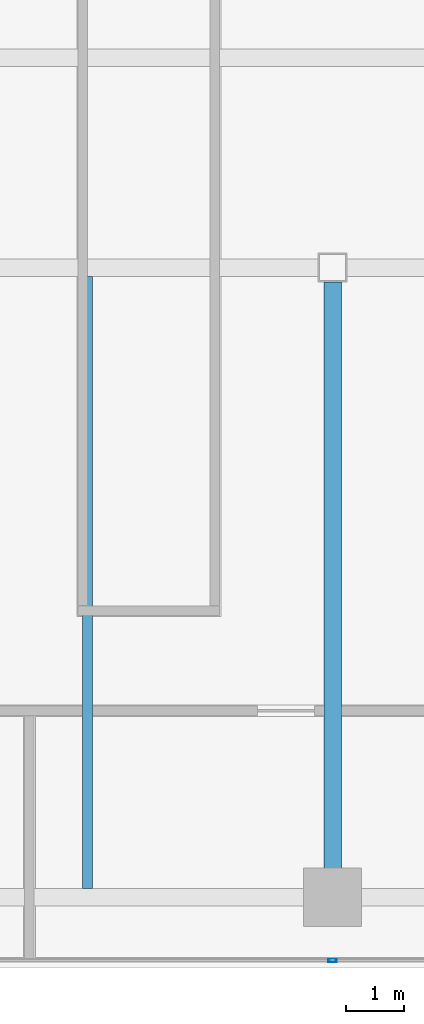
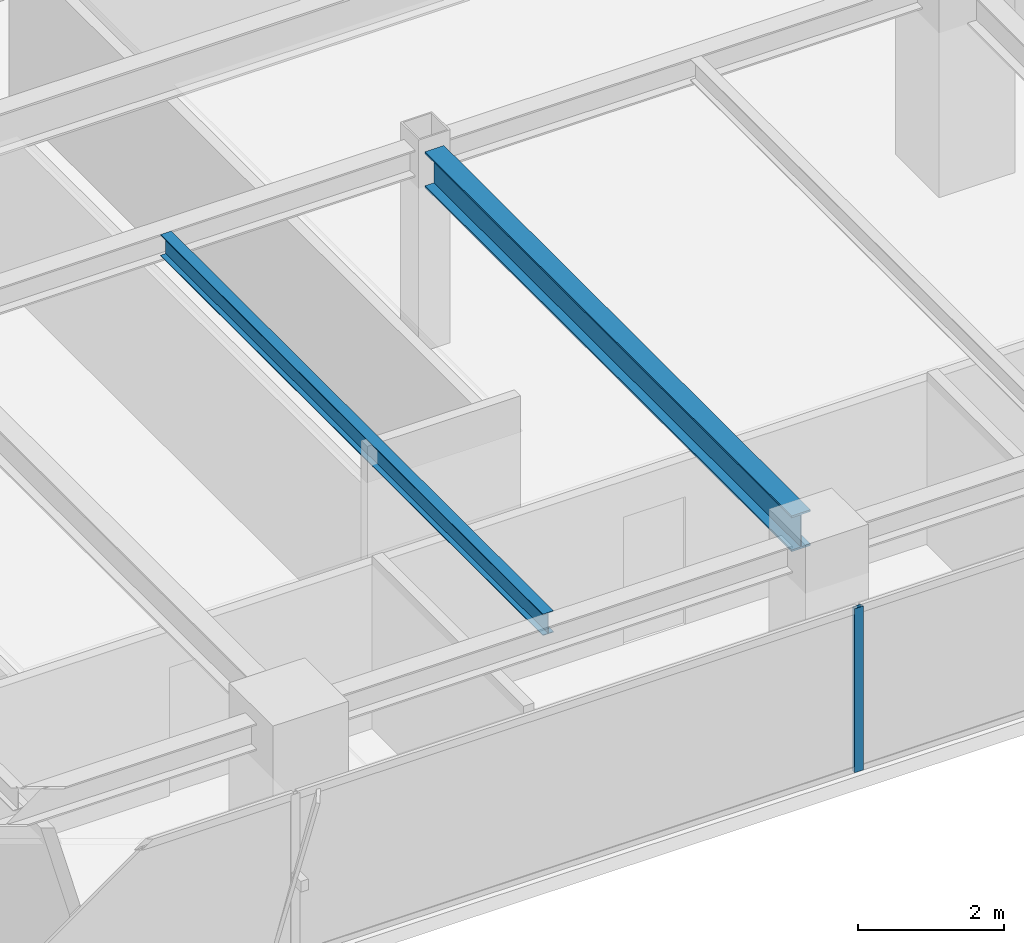
# One storey, part 6 of 27: 2 beams, 1 member, 1 element without a shape of its own.
"""IFC4 building model written with IfcOpenShell, lengths in metres."""

from ifc_helpers import new_model, si_unit, direction, frame, origin, origin_2d, place, context, subcontext, project, spatial, hollow_rectangle, i_section, extrude, source, transform, mapped, material, layer, layer_set, material_profile, profile_set, type_object, element, aggregate, save


model = new_model("IFC4")

# Units and contexts
model_context = context("Model", 3, precision=1e-05, world=origin(), true_north=direction((0.0, 1.0)))
body_context = subcontext(model_context, "Body", "Model", "MODEL_VIEW")
ifc_project = project(units=[si_unit("LENGTHUNIT", "METRE"), si_unit("AREAUNIT", "SQUARE_METRE"), si_unit("VOLUMEUNIT", "CUBIC_METRE"), si_unit("PLANEANGLEUNIT", "RADIAN"), si_unit("MASSUNIT", "GRAM", prefix="KILO")], contexts=[model_context])

# Site, building, storey
site_placement = place(None, origin())
site = spatial("IfcSite", under=ifc_project, at=site_placement, CompositionType="ELEMENT")
building_placement = place(site_placement, origin())
building = spatial("IfcBuilding", under=site, at=building_placement, Name="Sumidabori Civic Tower", CompositionType="ELEMENT")
storey_placement = place(building_placement, frame((0.0, 0.0, 257.60009765625)))
storey = spatial("IfcBuildingStorey", under=building, at=storey_placement, Name="L67", CompositionType="ELEMENT", Elevation=257.60009765625)

# Beams
ifc_material_1 = material(Name="Steel SN490", Category="steel")
ifc_material_profile_1 = material_profile(ifc_material_1, i_section(OverallWidth=0.300048828125, OverallDepth=0.60009765625, WebThickness=0.015380859375, FlangeThickness=0.030029296875, at=origin_2d()), Name="HE 600 B")
ifc_profile_set_1 = profile_set([ifc_material_profile_1], Name="Steel SN490")
beam_type_1 = type_object("IfcBeamType", Name="BM-GIRD-600", PredefinedType="BEAM", material=ifc_profile_set_1)
shared_shape_1 = source(origin(), body_context, "Body", "SweptSolid", [
    extrude(i_section(OverallWidth=0.300048828125, OverallDepth=0.60009765625, WebThickness=0.015380859375, FlangeThickness=0.030029296875, at=origin_2d()), origin(), (0.0, 0.0, 1.0), 10.070068359375),
])
beam_1_placement = place(storey_placement, frame((0.0, -10.320068359375, 3.06982421875), z_axis=(0.0, 1.0, 0.0), x_axis=(-1.0, 0.0, 0.0)))
element("IfcBeam", 1, at=beam_1_placement, inside=storey, type_object=beam_type_1, Name="Primary Girder L67 GY-13", PredefinedType="BEAM", context=body_context, shape_type="MappedRepresentation", body=[
    mapped(shared_shape_1, transform((0.0, 0.0, 0.0), x_axis=(1.0, 0.0, 0.0), y_axis=(0.0, 1.0, 0.0), z_axis=(0.0, 0.0, 1.0), scale=1.0)),
])
ifc_material_profile_2 = material_profile(ifc_material_1, i_section(OverallWidth=0.169921875, OverallDepth=0.360107421875, WebThickness=0.008056640625, FlangeThickness=0.0126953125, at=origin_2d()), Name="IPE 360")
ifc_profile_set_2 = profile_set([ifc_material_profile_2], Name="Steel SN490")
beam_type_2 = type_object("IfcBeamType", Name="BM-JST-360", PredefinedType="JOIST", material=ifc_profile_set_2)
shared_shape_2 = source(origin(), body_context, "Body", "SweptSolid", [
    extrude(i_section(OverallWidth=0.169921875, OverallDepth=0.360107421875, WebThickness=0.008056640625, FlangeThickness=0.0126953125, at=origin_2d()), origin(), (0.0, 0.0, 1.0), 10.5),
])
beam_2_placement = place(storey_placement, frame((-4.199951171875, -10.64990234375, 3.18994140625), z_axis=(0.0, 1.0, 0.0), x_axis=(-1.0, 0.0, 0.0)))
element("IfcBeam", 2, at=beam_2_placement, inside=storey, type_object=beam_type_2, Name="Upper Lens N-S Floor Joist L67 JSTV-21", PredefinedType="JOIST", context=body_context, shape_type="MappedRepresentation", body=[
    mapped(shared_shape_2, transform((0.0, 0.0, 0.0), x_axis=(1.0, 0.0, 0.0), y_axis=(0.0, 1.0, 0.0), z_axis=(0.0, 0.0, 1.0), scale=1.0)),
])

# Curtain wall, member
ifc_material_2 = material(Name="Anodised Bronze Aluminium AW-6063-T6", Category="aluminium")
ifc_layer = layer(ifc_material_2, 0.179931640625, Name="Anodised Bronze Aluminium AW-6063-T6")
ifc_layer_set = layer_set([ifc_layer], Name="Anodised Bronze Aluminium AW-6063-T6")
curtain_wall_type = type_object("IfcCurtainWallType", Name="CW-SYS-5", PredefinedType="NOTDEFINED", material=ifc_layer_set)
curtain_wall_placement = place(storey_placement, origin())
curtain_wall = element("IfcCurtainWall", 3, at=curtain_wall_placement, inside=storey, type_object=curtain_wall_type, Name="Curtain Wall CW:L67:R01", PredefinedType="NOTDEFINED")
ifc_material_profile_3 = material_profile(ifc_material_2, hollow_rectangle(XDim=0.06005859375, YDim=0.139892578125, WallThickness=0.0048828125, at=origin_2d()), Name="ALU MULLION 140x60")
ifc_profile_set_3 = profile_set([ifc_material_profile_3], Name="Anodised Bronze Aluminium AW-6063-T6")
member_type = type_object("IfcMemberType", Name="CW-MUL-140", PredefinedType="MULLION", material=ifc_profile_set_3)
shared_shape_3 = source(origin(), body_context, "Body", "SweptSolid", [
    extrude(hollow_rectangle(XDim=0.06005859375, YDim=0.139892578125, WallThickness=0.0048828125, at=origin_2d()), origin(), (0.0, 0.0, 1.0), 2.75),
])
member_placement = place(storey_placement, frame((0.0, -11.8798828125, 0.0), z_axis=(0.0, 0.0, 1.0), x_axis=(0.0, 1.0, 0.0)))
member = element("IfcMember", 4, at=member_placement, type_object=member_type, Name="CW-5 mullion 3", PredefinedType="MULLION", context=body_context, shape_type="MappedRepresentation", body=[
    mapped(shared_shape_3, transform((0.0, 0.0, 0.0), x_axis=(1.0, 0.0, 0.0), y_axis=(0.0, 1.0, 0.0), z_axis=(0.0, 0.0, 1.0), scale=1.0)),
])
aggregate(curtain_wall, [member])

save(model, "model.ifc")
